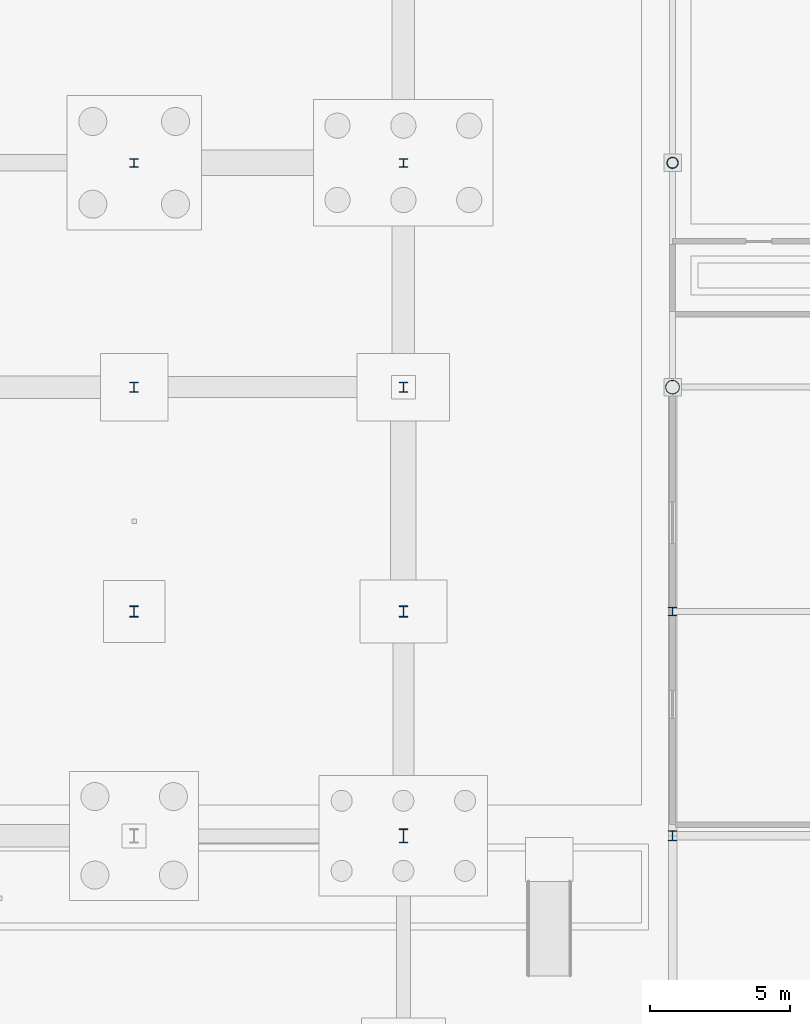
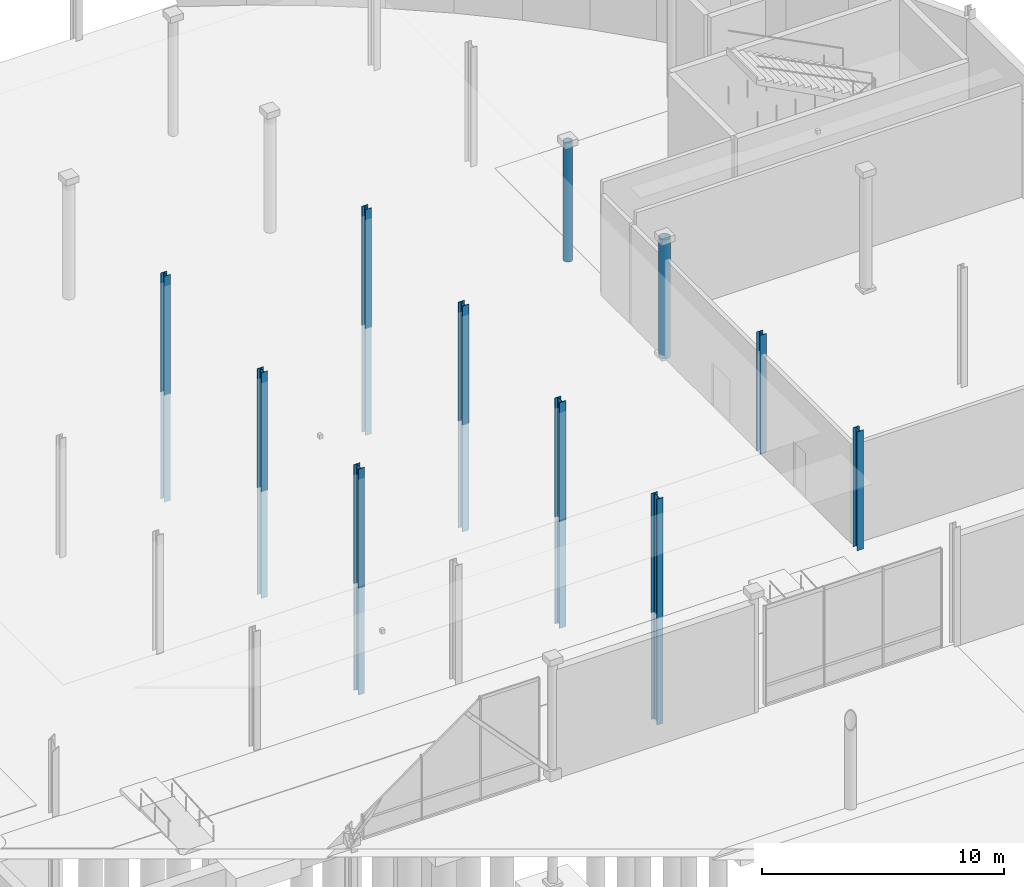
# One storey, part 26 of 124: 11 columns.
"""IFC4 building model written with IfcOpenShell, lengths in metres."""

from ifc_helpers import new_model, si_unit, direction, frame, origin, origin_2d, place, context, subcontext, project, spatial, hollow_circle, i_section, extrude, material, material_profile, profile_set, type_object, element, save


model = new_model("IFC4")

# Units and contexts
model_context = context("Model", 3, precision=1e-05, world=origin(), true_north=direction((0.0, 1.0)))
body_context = subcontext(model_context, "Body", "Model", "MODEL_VIEW")
ifc_project = project(units=[si_unit("LENGTHUNIT", "METRE"), si_unit("AREAUNIT", "SQUARE_METRE"), si_unit("VOLUMEUNIT", "CUBIC_METRE"), si_unit("PLANEANGLEUNIT", "RADIAN"), si_unit("MASSUNIT", "GRAM", prefix="KILO")], contexts=[model_context])

# Site, building, storey
site_placement = place(None, origin())
site = spatial("IfcSite", under=ifc_project, at=site_placement, CompositionType="ELEMENT")
building_placement = place(site_placement, origin())
building = spatial("IfcBuilding", under=site, at=building_placement, Name="Danafjord Basin Convention Centre", CompositionType="ELEMENT")
storey_placement = place(building_placement, origin())
storey = spatial("IfcBuildingStorey", under=building, at=storey_placement, Name="L00", CompositionType="ELEMENT", Elevation=0.0)

# Columns
ifc_material = material(Name="Steel S355", Category="steel")
ifc_material_profile_1 = material_profile(ifc_material, hollow_circle(Radius=0.203125, WallThickness=0.02001953125, at=origin_2d()), Name="CHS 406.4x20.0")
ifc_profile_set_1 = profile_set([ifc_material_profile_1], Name="Steel S355")
column_type_1 = type_object("IfcColumnType", Name="COL-C-CHS406", PredefinedType="COLUMN", material=ifc_profile_set_1)
column_1_placement = place(storey_placement, frame((182.39990234375, 120.0, 0.0), z_axis=(0.0, 0.0, 1.0), x_axis=(1.0, 0.0, 0.0)))
element("IfcColumn", 1, at=column_1_placement, inside=storey, type_object=column_type_1, Name="L00 column C-CHS406 at (182.4, 120.0)", PredefinedType="COLUMN", context=body_context, shape_type="SweptSolid", body=[
    extrude(hollow_circle(Radius=0.203125, WallThickness=0.02001953125, at=origin_2d()), origin(), (0.0, 0.0, 1.0), 6.0),
])
ifc_material_profile_2 = material_profile(ifc_material, hollow_circle(Radius=0.25390625, WallThickness=0.02490234375, at=origin_2d()), Name="CHS 508.0x25.0")
ifc_profile_set_2 = profile_set([ifc_material_profile_2], Name="Steel S355")
column_type_2 = type_object("IfcColumnType", Name="COL-C-CHS508", PredefinedType="COLUMN", material=ifc_profile_set_2)
column_2_placement = place(storey_placement, frame((182.39990234375, 112.0, 0.0), z_axis=(0.0, 0.0, 1.0), x_axis=(1.0, 0.0, 0.0)))
element("IfcColumn", 2, at=column_2_placement, inside=storey, type_object=column_type_2, Name="L00 column C-CHS508 at (182.4, 112.0)", PredefinedType="COLUMN", context=body_context, shape_type="SweptSolid", body=[
    extrude(hollow_circle(Radius=0.25390625, WallThickness=0.02490234375, at=origin_2d()), origin(), (0.0, 0.0, 1.0), 6.0),
])
ifc_material_profile_3 = material_profile(ifc_material, i_section(OverallWidth=0.300048828125, OverallDepth=0.300048828125, WebThickness=0.010986328125, FlangeThickness=0.01904296875, FilletRadius=0.027099609375, at=origin_2d()), Name="HEB 300")
ifc_profile_set_3 = profile_set([ifc_material_profile_3], Name="Steel S355")
column_type_3 = type_object("IfcColumnType", Name="COL-C-HEB300", PredefinedType="COLUMN", material=ifc_profile_set_3)
for number, where, z_axis, x_axis, name in (
    (3, (163.199951171875, 120.0, -5.39990234375), (0.0, 0.0, 1.0), (1.0, 0.0, 0.0), "L00 column C-HEB300 at (163.2, 120.0)"),
    (4, (172.800048828125, 120.0, -5.39990234375), (0.0, 0.0, 1.0), (1.0, 0.0, 0.0), "L00 column C-HEB300 at (172.8, 120.0)"),
):
    element("IfcColumn", number, at=place(storey_placement, frame(where, z_axis=z_axis, x_axis=x_axis)), inside=storey, type_object=column_type_3, Name=name, PredefinedType="COLUMN", context=body_context, shape_type="SweptSolid", body=[
        extrude(i_section(OverallWidth=0.300048828125, OverallDepth=0.300048828125, WebThickness=0.010986328125, FlangeThickness=0.01904296875, FilletRadius=0.027099609375, at=origin_2d()), origin(), (0.0, 0.0, 1.0), 11.39990234375),
    ])
column_3_placement = place(storey_placement, frame((182.39990234375, 104.0, 0.0), z_axis=(0.0, 0.0, 1.0), x_axis=(1.0, 0.0, 0.0)))
element("IfcColumn", 5, at=column_3_placement, inside=storey, type_object=column_type_3, Name="L00 column C-HEB300 at (182.4, 104.0)", PredefinedType="COLUMN", context=body_context, shape_type="SweptSolid", body=[
    extrude(i_section(OverallWidth=0.300048828125, OverallDepth=0.300048828125, WebThickness=0.010986328125, FlangeThickness=0.01904296875, FilletRadius=0.027099609375, at=origin_2d()), origin(), (0.0, 0.0, 1.0), 6.0),
])
ifc_material_profile_4 = material_profile(ifc_material, i_section(OverallWidth=0.300048828125, OverallDepth=0.360107421875, WebThickness=0.012451171875, FlangeThickness=0.0224609375, FilletRadius=0.027099609375, at=origin_2d()), Name="HEB 360")
ifc_profile_set_4 = profile_set([ifc_material_profile_4], Name="Steel S355")
column_type_4 = type_object("IfcColumnType", Name="COL-C-HEB360", PredefinedType="COLUMN", material=ifc_profile_set_4)
for number, where, z_axis, x_axis, name in (
    (6, (163.199951171875, 112.0, -5.39990234375), (0.0, 0.0, 1.0), (1.0, 0.0, 0.0), "L00 column C-HEB360 at (163.2, 112.0)"),
    (7, (172.800048828125, 112.0, -5.39990234375), (0.0, 0.0, 1.0), (1.0, 0.0, 0.0), "L00 column C-HEB360 at (172.8, 112.0)"),
):
    element("IfcColumn", number, at=place(storey_placement, frame(where, z_axis=z_axis, x_axis=x_axis)), inside=storey, type_object=column_type_4, Name=name, PredefinedType="COLUMN", context=body_context, shape_type="SweptSolid", body=[
        extrude(i_section(OverallWidth=0.300048828125, OverallDepth=0.360107421875, WebThickness=0.012451171875, FlangeThickness=0.0224609375, FilletRadius=0.027099609375, at=origin_2d()), origin(), (0.0, 0.0, 1.0), 11.39990234375),
    ])
column_4_placement = place(storey_placement, frame((182.39990234375, 96.0, 0.0), z_axis=(0.0, 0.0, 1.0), x_axis=(1.0, 0.0, 0.0)))
element("IfcColumn", 8, at=column_4_placement, inside=storey, type_object=column_type_4, Name="L00 column C-HEB360 at (182.4, 96.0)", PredefinedType="COLUMN", context=body_context, shape_type="SweptSolid", body=[
    extrude(i_section(OverallWidth=0.300048828125, OverallDepth=0.360107421875, WebThickness=0.012451171875, FlangeThickness=0.0224609375, FilletRadius=0.027099609375, at=origin_2d()), origin(), (0.0, 0.0, 1.0), 6.0),
])
ifc_material_profile_5 = material_profile(ifc_material, i_section(OverallWidth=0.300048828125, OverallDepth=0.39990234375, WebThickness=0.013427734375, FlangeThickness=0.02392578125, FilletRadius=0.027099609375, at=origin_2d()), Name="HEB 400")
ifc_profile_set_5 = profile_set([ifc_material_profile_5], Name="Steel S355")
column_type_5 = type_object("IfcColumnType", Name="COL-C-HEB400", PredefinedType="COLUMN", material=ifc_profile_set_5)
for number, where, z_axis, x_axis, name in (
    (9, (163.199951171875, 104.0, -5.39990234375), (0.0, 0.0, 1.0), (1.0, 0.0, 0.0), "L00 column C-HEB400 at (163.2, 104.0)"),
    (10, (172.800048828125, 104.0, -5.39990234375), (0.0, 0.0, 1.0), (1.0, 0.0, 0.0), "L00 column C-HEB400 at (172.8, 104.0)"),
):
    element("IfcColumn", number, at=place(storey_placement, frame(where, z_axis=z_axis, x_axis=x_axis)), inside=storey, type_object=column_type_5, Name=name, PredefinedType="COLUMN", context=body_context, shape_type="SweptSolid", body=[
        extrude(i_section(OverallWidth=0.300048828125, OverallDepth=0.39990234375, WebThickness=0.013427734375, FlangeThickness=0.02392578125, FilletRadius=0.027099609375, at=origin_2d()), origin(), (0.0, 0.0, 1.0), 11.39990234375),
    ])
ifc_material_profile_6 = material_profile(ifc_material, i_section(OverallWidth=0.300048828125, OverallDepth=0.5, WebThickness=0.014404296875, FlangeThickness=0.028076171875, FilletRadius=0.027099609375, at=origin_2d()), Name="HEB 500")
ifc_profile_set_6 = profile_set([ifc_material_profile_6], Name="Steel S355")
column_type_6 = type_object("IfcColumnType", Name="COL-C-HEB500", PredefinedType="COLUMN", material=ifc_profile_set_6)
column_5_placement = place(storey_placement, frame((172.800048828125, 96.0, -5.39990234375), z_axis=(0.0, 0.0, 1.0), x_axis=(1.0, 0.0, 0.0)))
element("IfcColumn", 11, at=column_5_placement, inside=storey, type_object=column_type_6, Name="L00 column C-HEB500 at (172.8, 96.0)", PredefinedType="COLUMN", context=body_context, shape_type="SweptSolid", body=[
    extrude(i_section(OverallWidth=0.300048828125, OverallDepth=0.5, WebThickness=0.014404296875, FlangeThickness=0.028076171875, FilletRadius=0.027099609375, at=origin_2d()), origin(), (0.0, 0.0, 1.0), 11.39990234375),
])

save(model, "model.ifc")
